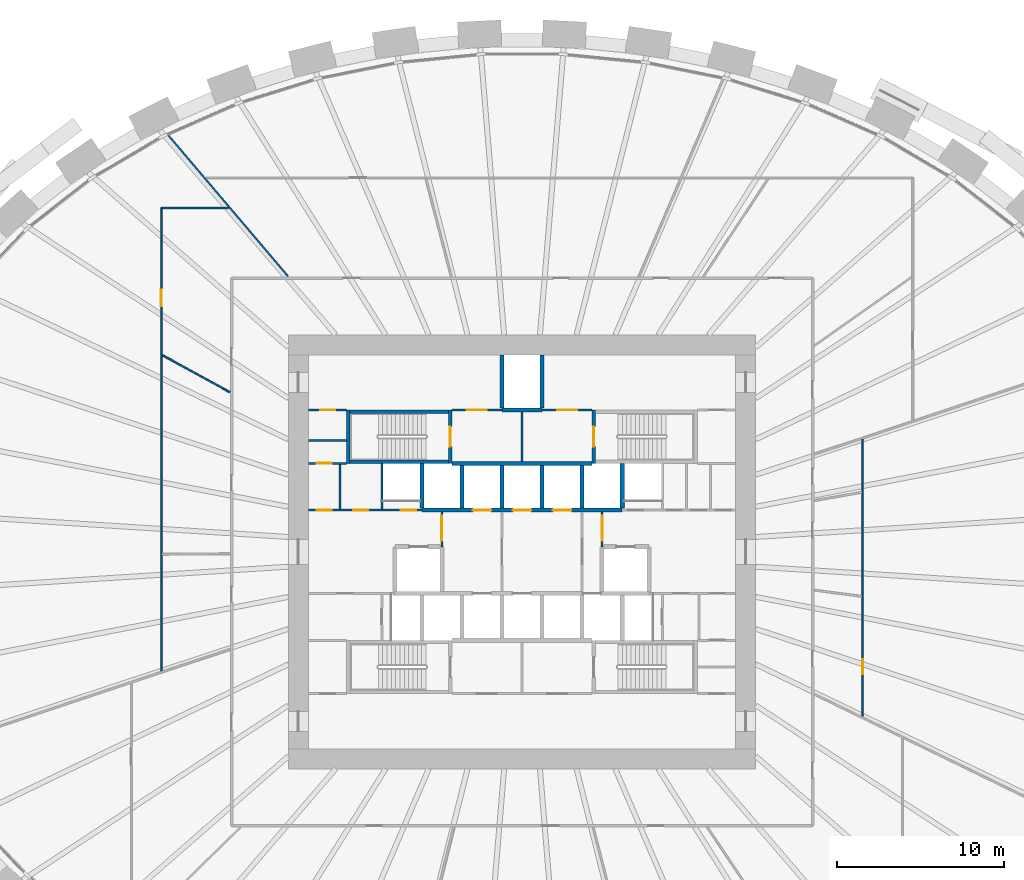
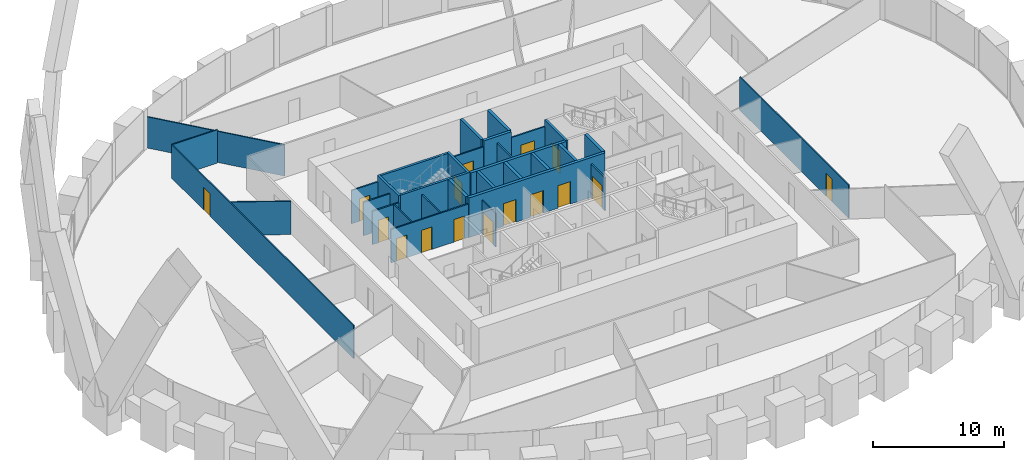
# One storey, part 9 of 12: 32 walls, 16 doors, 16 openings.
"""IFC4 building model written with IfcOpenShell, lengths in metres."""

from ifc_helpers import new_model, si_unit, direction, frame, frame_2d, origin, place, context, subcontext, project, spatial, rectangle, extrude, source, transform, mapped, material, layer, layer_set, type_object, element, fill, save


model = new_model("IFC4")

# Units and contexts
model_context = context("Model", 3, precision=1e-05, world=origin(), true_north=direction((0.0, 1.0)))
body_context = subcontext(model_context, "Body", "Model", "MODEL_VIEW")
ifc_project = project(units=[si_unit("LENGTHUNIT", "METRE"), si_unit("AREAUNIT", "SQUARE_METRE"), si_unit("VOLUMEUNIT", "CUBIC_METRE"), si_unit("PLANEANGLEUNIT", "RADIAN"), si_unit("MASSUNIT", "GRAM", prefix="KILO")], contexts=[model_context])

# Site, building, storey
site_placement = place(None, origin())
site = spatial("IfcSite", under=ifc_project, at=site_placement, CompositionType="ELEMENT")
building_placement = place(site_placement, origin())
building = spatial("IfcBuilding", under=site, at=building_placement, Name="Embergate Tower", CompositionType="ELEMENT")
storey_placement = place(building_placement, frame((0.0, 0.0, 45.800048828125)))
storey = spatial("IfcBuildingStorey", under=building, at=storey_placement, Name="L07", CompositionType="ELEMENT", Elevation=45.800048828125)

# Walls
ifc_material_1 = material(Name="Concrete C50", Category="concrete")
ifc_layer_1 = layer(ifc_material_1, 0.25)
ifc_layer_set_1 = layer_set([ifc_layer_1], Name="Concrete C50")
wall_type_1 = type_object("IfcWallType", Name="Hoistway wall reinforced concrete 250", PredefinedType="SHEAR", material=ifc_layer_set_1)
shared_shape_1 = source(origin(), body_context, "Body", "SweptSolid", [
    extrude(rectangle(XDim=2.675048828125, YDim=0.25, at=frame_2d((1.33740234375, 0.0))), origin(), (0.0, 0.0, 1.0), 3.699951171875),
])
for number, where, z_axis, x_axis, name in (
    (1, (-6.0, 2.625, 0.0), (0.0, 0.0, 1.0), (0.0, 1.0, 0.0), "HW-1 wall"),
    (2, (6.0, 2.625, 0.0), (0.0, 0.0, 1.0), (0.0, 1.0, 0.0), "HW-1 wall"),
):
    element("IfcWall", number, at=place(storey_placement, frame(where, z_axis=z_axis, x_axis=x_axis)), inside=storey, type_object=wall_type_1, Name=name, PredefinedType="SHEAR", context=body_context, shape_type="MappedRepresentation", body=[
        mapped(shared_shape_1, transform((0.0, 0.0, 0.0))),
    ])
ifc_layer_2 = layer(ifc_material_1, 0.199951171875)
ifc_layer_set_2 = layer_set([ifc_layer_2], Name="Concrete C50")
wall_type_2 = type_object("IfcWallType", Name="Stair enclosure wall reinforced concrete 250", PredefinedType="SHEAR", material=ifc_layer_set_2)
shared_shape_2 = source(origin(), body_context, "Body", "SweptSolid", [
    extrude(rectangle(XDim=6.300048828125, YDim=0.199951171875, at=frame_2d((3.14990234375, 0.0))), origin(), (0.0, 0.0, 1.0), 3.699951171875),
])
for number, where, z_axis, x_axis, name in (
    (3, (-4.199951171875, 5.39990234375, 0.0), (0.0, 0.0, 1.0), (-1.0, 0.0, 0.0), "SE-1 wall"),
    (4, (-4.199951171875, 8.39990234375, 0.0), (0.0, 0.0, 1.0), (-1.0, 0.0, 0.0), "SE-1 wall"),
):
    element("IfcWall", number, at=place(storey_placement, frame(where, z_axis=z_axis, x_axis=x_axis)), inside=storey, type_object=wall_type_2, Name=name, PredefinedType="SHEAR", context=body_context, shape_type="MappedRepresentation", body=[
        mapped(shared_shape_2, transform((0.0, 0.0, 0.0))),
    ])
shared_shape_3 = source(origin(), body_context, "Body", "SweptSolid", [
    extrude(rectangle(XDim=2.550048828125, YDim=0.25, at=frame_2d((1.27490234375, 0.0))), origin(), (0.0, 0.0, 1.0), 3.699951171875),
])
for number, where, z_axis, x_axis, name in (
    (5, (-3.60009765625, 2.625, 0.0), (0.0, 0.0, 1.0), (0.0, 1.0, 0.0), "HW-1 wall"),
    (6, (-1.199951171875, 2.625, 0.0), (0.0, 0.0, 1.0), (0.0, 1.0, 0.0), "HW-1 wall"),
    (7, (1.199951171875, 2.625, 0.0), (0.0, 0.0, 1.0), (0.0, 1.0, 0.0), "HW-1 wall"),
    (8, (3.60009765625, 2.625, 0.0), (0.0, 0.0, 1.0), (0.0, 1.0, 0.0), "HW-1 wall"),
):
    element("IfcWall", number, at=place(storey_placement, frame(where, z_axis=z_axis, x_axis=x_axis)), inside=storey, type_object=wall_type_1, Name=name, PredefinedType="SHEAR", context=body_context, shape_type="MappedRepresentation", body=[
        mapped(shared_shape_3, transform((0.0, 0.0, 0.0))),
    ])

# Wall, openings, doors
shared_shape_4 = source(origin(), body_context, "Body", "SweptSolid", [
    extrude(rectangle(XDim=12.0, YDim=0.25, at=frame_2d((6.0, 0.0))), origin(), (0.0, 0.0, 1.0), 3.699951171875),
])
wall_1_placement = place(storey_placement, frame((-6.0, 2.5, 0.0), z_axis=(0.0, 0.0, 1.0), x_axis=(1.0, 0.0, 0.0)))
wall_1 = element("IfcWall", 9, at=wall_1_placement, inside=storey, type_object=wall_type_1, Name="HW-1 wall", PredefinedType="SHEAR", context=body_context, shape_type="MappedRepresentation", body=[
    mapped(shared_shape_4, transform((0.0, 0.0, 0.0))),
])
shared_shape_5 = source(origin(), body_context, "Body", "SweptSolid", [
    extrude(rectangle(XDim=1.10009765625, YDim=2.10009765625, at=frame_2d((0.550048828125, 1.050048828125))), frame((0.0, 0.135009765625, 0.0), z_axis=(0.0, -1.0, 0.0), x_axis=(1.0, 0.0, 0.0)), (0.0, 0.0, 1.0), 0.27001953125),
])
opening_1_placement = place(wall_1_placement, frame((3.050048828125, 0.0, 0.0)))
opening_1 = element("IfcOpeningElement", 10, at=opening_1_placement, cuts=wall_1, Name="Opening LD", PredefinedType="OPENING", context=body_context, shape_type="MappedRepresentation", body=[
    mapped(shared_shape_5, transform((0.0, 0.0, 0.0))),
])
opening_2_placement = place(wall_1_placement, frame((5.449951171875, 0.0, 0.0)))
opening_2 = element("IfcOpeningElement", 11, at=opening_2_placement, cuts=wall_1, Name="Opening LD", PredefinedType="OPENING", context=body_context, shape_type="MappedRepresentation", body=[
    mapped(shared_shape_5, transform((0.0, 0.0, 0.0))),
])
opening_3_placement = place(wall_1_placement, frame((7.85009765625, 0.0, 0.0)))
opening_3 = element("IfcOpeningElement", 12, at=opening_3_placement, cuts=wall_1, Name="Opening LD", PredefinedType="OPENING", context=body_context, shape_type="MappedRepresentation", body=[
    mapped(shared_shape_5, transform((0.0, 0.0, 0.0))),
])
ifc_material_2 = material(Name="Landing door sliding 1100")
door_type_1 = type_object("IfcDoorType", Name="Landing door sliding 1100", OperationType="SLIDING_TO_LEFT", PredefinedType="DOOR", material=ifc_material_2)
shared_shape_6 = source(origin(), body_context, "Body", "SweptSolid", [
    extrude(rectangle(XDim=1.10009765625, YDim=2.10009765625, at=frame_2d((0.550048828125, 1.050048828125))), frame((0.0, 0.02490234375, 0.0), z_axis=(0.0, -1.0, 0.0), x_axis=(1.0, 0.0, 0.0)), (0.0, 0.0, 1.0), 0.050048828125),
])
door_1_placement = place(opening_1_placement, origin())
door_1 = element("IfcDoor", 13, at=door_1_placement, inside=storey, type_object=door_type_1, Name="LD door", OperationType="SLIDING_TO_RIGHT", OverallHeight=2.10009765625, OverallWidth=1.10009765625, PredefinedType="DOOR", context=body_context, shape_type="MappedRepresentation", body=[
    mapped(shared_shape_6, transform((0.0, 0.0, 0.0))),
])
fill(opening_1, door_1)
door_2_placement = place(opening_2_placement, origin())
door_2 = element("IfcDoor", 14, at=door_2_placement, inside=storey, type_object=door_type_1, Name="LD door", OperationType="SLIDING_TO_RIGHT", OverallHeight=2.10009765625, OverallWidth=1.10009765625, PredefinedType="DOOR", context=body_context, shape_type="MappedRepresentation", body=[
    mapped(shared_shape_6, transform((0.0, 0.0, 0.0))),
])
fill(opening_2, door_2)
door_3_placement = place(opening_3_placement, origin())
door_3 = element("IfcDoor", 15, at=door_3_placement, inside=storey, type_object=door_type_1, Name="LD door", OperationType="SLIDING_TO_RIGHT", OverallHeight=2.10009765625, OverallWidth=1.10009765625, PredefinedType="DOOR", context=body_context, shape_type="MappedRepresentation", body=[
    mapped(shared_shape_6, transform((0.0, 0.0, 0.0))),
])
fill(opening_3, door_3)

# Wall
shared_shape_7 = source(origin(), body_context, "Body", "SweptSolid", [
    extrude(rectangle(XDim=8.39990234375, YDim=0.25, at=frame_2d((4.199951171875, 0.0))), origin(), (0.0, 0.0, 1.0), 3.699951171875),
])
wall_2_placement = place(storey_placement, frame((4.199951171875, 5.300048828125, 0.0), z_axis=(0.0, 0.0, 1.0), x_axis=(-1.0, 0.0, 0.0)))
element("IfcWall", 16, at=wall_2_placement, inside=storey, type_object=wall_type_1, Name="HW-1 wall", PredefinedType="SHEAR", context=body_context, shape_type="MappedRepresentation", body=[
    mapped(shared_shape_7, transform((0.0, 0.0, 0.0))),
])

# Wall, opening, door
shared_shape_8 = source(origin(), body_context, "Body", "SweptSolid", [
    extrude(rectangle(XDim=3.199951171875, YDim=0.199951171875, at=frame_2d((1.60009765625, 0.0))), origin(), (0.0, 0.0, 1.0), 3.699951171875),
])
wall_3_placement = place(storey_placement, frame((-4.300048828125, 5.300048828125, 0.0), z_axis=(0.0, 0.0, 1.0), x_axis=(0.0, 1.0, 0.0)))
wall_3 = element("IfcWall", 17, at=wall_3_placement, inside=storey, type_object=wall_type_2, Name="SE-1 wall", PredefinedType="SHEAR", context=body_context, shape_type="MappedRepresentation", body=[
    mapped(shared_shape_8, transform((0.0, 0.0, 0.0))),
])
shared_shape_9 = source(origin(), body_context, "Body", "SweptSolid", [
    extrude(rectangle(XDim=1.199951171875, YDim=2.10009765625, at=frame_2d((0.60009765625, 1.050048828125))), frame((0.0, 0.10986328125, 0.0), z_axis=(0.0, -1.0, 0.0), x_axis=(1.0, 0.0, 0.0)), (0.0, 0.0, 1.0), 0.219970703125),
])
opening_4_placement = place(wall_3_placement, frame((1.0, 0.0, 0.0)))
opening_4 = element("IfcOpeningElement", 18, at=opening_4_placement, cuts=wall_3, Name="Opening IF-2", PredefinedType="OPENING", context=body_context, shape_type="MappedRepresentation", body=[
    mapped(shared_shape_9, transform((0.0, 0.0, 0.0))),
])
ifc_material_3 = material(Name="Stair enclosure door 1200")
door_type_2 = type_object("IfcDoorType", Name="Stair enclosure door 1200", OperationType="SINGLE_SWING_LEFT", PredefinedType="DOOR", material=ifc_material_3)
shared_shape_10 = source(origin(), body_context, "Body", "SweptSolid", [
    extrude(rectangle(XDim=1.199951171875, YDim=2.10009765625, at=frame_2d((0.60009765625, 1.050048828125))), frame((0.0, 0.02490234375, 0.0), z_axis=(0.0, -1.0, 0.0), x_axis=(1.0, 0.0, 0.0)), (0.0, 0.0, 1.0), 0.050048828125),
])
door_4_placement = place(opening_4_placement, origin())
door_4 = element("IfcDoor", 19, at=door_4_placement, inside=storey, type_object=door_type_2, Name="IF-2 door", OperationType="SINGLE_SWING_LEFT", OverallHeight=2.10009765625, OverallWidth=1.199951171875, PredefinedType="DOOR", context=body_context, shape_type="MappedRepresentation", body=[
    mapped(shared_shape_10, transform((0.0, 0.0, 0.0))),
])
fill(opening_4, door_4)

# Wall
wall_4_placement = place(storey_placement, frame((-10.39990234375, 8.5, 0.0), z_axis=(0.0, 0.0, 1.0), x_axis=(0.0, -1.0, 0.0)))
element("IfcWall", 20, at=wall_4_placement, inside=storey, type_object=wall_type_2, Name="SE-1 wall", PredefinedType="SHEAR", context=body_context, shape_type="MappedRepresentation", body=[
    mapped(shared_shape_8, transform((0.0, 0.0, 0.0))),
])

# Wall, opening, door
wall_5_placement = place(storey_placement, frame((4.300048828125, 8.5, 0.0), z_axis=(0.0, 0.0, 1.0), x_axis=(0.0, -1.0, 0.0)))
wall_5 = element("IfcWall", 21, at=wall_5_placement, inside=storey, type_object=wall_type_2, Name="SE-1 wall", PredefinedType="SHEAR", context=body_context, shape_type="MappedRepresentation", body=[
    mapped(shared_shape_8, transform((0.0, 0.0, 0.0))),
])
opening_5_placement = place(wall_5_placement, frame((1.0, 0.0, 0.0)))
opening_5 = element("IfcOpeningElement", 22, at=opening_5_placement, cuts=wall_5, Name="Opening IF-2", PredefinedType="OPENING", context=body_context, shape_type="MappedRepresentation", body=[
    mapped(shared_shape_9, transform((0.0, 0.0, 0.0))),
])
door_5_placement = place(opening_5_placement, origin())
door_5 = element("IfcDoor", 23, at=door_5_placement, inside=storey, type_object=door_type_2, Name="IF-2 door", OperationType="SINGLE_SWING_RIGHT", OverallHeight=2.10009765625, OverallWidth=1.199951171875, PredefinedType="DOOR", context=body_context, shape_type="MappedRepresentation", body=[
    mapped(shared_shape_10, transform((0.0, 0.0, 0.0))),
])
fill(opening_5, door_5)

# Walls
shared_shape_11 = source(origin(), body_context, "Body", "SweptSolid", [
    extrude(rectangle(XDim=2.39990234375, YDim=0.25, at=frame_2d((1.199951171875, 0.0))), origin(), (0.0, 0.0, 1.0), 3.699951171875),
])
wall_6_placement = place(storey_placement, frame((1.199951171875, 8.5, 0.0), z_axis=(0.0, 0.0, 1.0), x_axis=(-1.0, 0.0, 0.0)))
element("IfcWall", 24, at=wall_6_placement, inside=storey, type_object=wall_type_1, Name="HW-1 wall", PredefinedType="SHEAR", context=body_context, shape_type="MappedRepresentation", body=[
    mapped(shared_shape_11, transform((0.0, 0.0, 0.0))),
])
shared_shape_12 = source(origin(), body_context, "Body", "SweptSolid", [
    extrude(rectangle(XDim=3.175048828125, YDim=0.25, at=frame_2d((1.58740234375, 0.0))), origin(), (0.0, 0.0, 1.0), 3.699951171875),
])
for number, where, z_axis, x_axis, name in (
    (25, (-1.199951171875, 8.625, 0.0), (0.0, 0.0, 1.0), (0.0, 1.0, 0.0), "HW-1 wall"),
    (26, (1.199951171875, 11.800048828125, 0.0), (0.0, 0.0, 1.0), (0.0, -1.0, 0.0), "HW-1 wall"),
):
    element("IfcWall", number, at=place(storey_placement, frame(where, z_axis=z_axis, x_axis=x_axis)), inside=storey, type_object=wall_type_1, Name=name, PredefinedType="SHEAR", context=body_context, shape_type="MappedRepresentation", body=[
        mapped(shared_shape_12, transform((0.0, 0.0, 0.0))),
    ])

# Wall, opening, door
ifc_material_4 = material(Name="Partition dry-lined 100 wet")
ifc_layer_3 = layer(ifc_material_4, 0.10009765625)
ifc_layer_set_3 = layer_set([ifc_layer_3], Name="Partition dry-lined 100 wet")
wall_type_3 = type_object("IfcWallType", Name="Partition dry-lined 100 wet", PredefinedType="PLUMBINGWALL", material=ifc_layer_set_3)
shared_shape_13 = source(origin(), body_context, "Body", "SweptSolid", [
    extrude(rectangle(XDim=16.60400390625, YDim=0.10009765625, at=frame_2d((8.302001953125, 0.0))), origin(), (0.0, 0.0, 1.0), 3.099853515625),
])
wall_7_placement = place(storey_placement, frame((20.39990234375, 6.74609375, 0.0), z_axis=(0.0, 0.0, 1.0), x_axis=(0.0, -1.0, 0.0)))
wall_7 = element("IfcWall", 27, at=wall_7_placement, inside=storey, type_object=wall_type_3, Name="IP-1 wall", PredefinedType="PLUMBINGWALL", context=body_context, shape_type="MappedRepresentation", body=[
    mapped(shared_shape_13, transform((0.0, 0.0, 0.0))),
])
shared_shape_14 = source(origin(), body_context, "Body", "SweptSolid", [
    extrude(rectangle(XDim=0.89990234375, YDim=2.10009765625, at=frame_2d((0.449951171875, 1.050048828125))), frame((0.0, 0.06005859375, 0.0), z_axis=(0.0, -1.0, 0.0), x_axis=(1.0, 0.0, 0.0)), (0.0, 0.0, 1.0), 0.1201171875),
])
opening_6_placement = place(wall_7_placement, frame((13.177978515625, 0.0, 0.0)))
opening_6 = element("IfcOpeningElement", 28, at=opening_6_placement, cuts=wall_7, Name="Opening ID-1", PredefinedType="OPENING", context=body_context, shape_type="MappedRepresentation", body=[
    mapped(shared_shape_14, transform((0.0, 0.0, 0.0))),
])
ifc_material_5 = material(Name="Interior door 900")
door_type_3 = type_object("IfcDoorType", Name="Interior door 900", OperationType="SINGLE_SWING_LEFT", PredefinedType="DOOR", material=ifc_material_5)
shared_shape_15 = source(origin(), body_context, "Body", "SweptSolid", [
    extrude(rectangle(XDim=0.89990234375, YDim=2.10009765625, at=frame_2d((0.449951171875, 1.050048828125))), frame((0.0, 0.02490234375, 0.0), z_axis=(0.0, -1.0, 0.0), x_axis=(1.0, 0.0, 0.0)), (0.0, 0.0, 1.0), 0.050048828125),
])
door_6_placement = place(opening_6_placement, origin())
door_6 = element("IfcDoor", 29, at=door_6_placement, inside=storey, type_object=door_type_3, Name="ID-1 door", OperationType="SINGLE_SWING_RIGHT", OverallHeight=2.10009765625, OverallWidth=0.89990234375, PredefinedType="DOOR", context=body_context, shape_type="MappedRepresentation", body=[
    mapped(shared_shape_15, transform((0.0, 0.0, 0.0))),
])
fill(opening_6, door_6)

# Walls
ifc_material_6 = material(Name="Partition dry-lined 100")
ifc_layer_4 = layer(ifc_material_6, 0.10009765625)
ifc_layer_set_4 = layer_set([ifc_layer_4], Name="Partition dry-lined 100")
wall_type_4 = type_object("IfcWallType", Name="Partition dry-lined 100", PredefinedType="PARTITIONING", material=ifc_layer_set_4)
shared_shape_16 = source(origin(), body_context, "Body", "SweptSolid", [
    extrude(rectangle(XDim=11.15966796875, YDim=0.10009765625, at=frame_2d((5.579833984375, 0.0))), origin(), (0.0, 0.0, 1.0), 2.89990234375),
])
wall_8_placement = place(storey_placement, frame((-14.01708984375, 16.507080078125, 0.0), z_axis=(0.0, 0.0, 1.0), x_axis=(-0.647236818458, 0.762288987742, 0.0)))
element("IfcWall", 30, at=wall_8_placement, inside=storey, type_object=wall_type_4, Name="IP-1 wall", PredefinedType="PARTITIONING", context=body_context, shape_type="MappedRepresentation", body=[
    mapped(shared_shape_16, transform((0.0, 0.0, 0.0))),
])
shared_shape_17 = source(origin(), body_context, "Body", "SweptSolid", [
    extrude(rectangle(XDim=4.589599609375, YDim=0.10009765625, at=frame_2d((2.294921875, 0.0))), origin(), (0.0, 0.0, 1.0), 3.099853515625),
])
wall_9_placement = place(storey_placement, frame((-17.4990234375, 9.56591796875, 0.0), z_axis=(0.0, 0.0, 1.0), x_axis=(-0.877374638448, 0.479805943907, 0.0)))
element("IfcWall", 31, at=wall_9_placement, inside=storey, type_object=wall_type_4, Name="IP-1 wall", PredefinedType="PARTITIONING", context=body_context, shape_type="MappedRepresentation", body=[
    mapped(shared_shape_17, transform((0.0, 0.0, 0.0))),
])

# Wall, opening, door
shared_shape_18 = source(origin(), body_context, "Body", "SweptSolid", [
    extrude(rectangle(XDim=27.7470703125, YDim=0.10009765625, at=frame_2d((13.87353515625, 0.0))), origin(), (0.0, 0.0, 1.0), 3.099853515625),
])
wall_10_placement = place(storey_placement, frame((-21.60009765625, -7.14697265625, 0.0), z_axis=(0.0, 0.0, 1.0), x_axis=(0.0, 1.0, 0.0)))
wall_10 = element("IfcWall", 32, at=wall_10_placement, inside=storey, type_object=wall_type_4, Name="IP-1 wall", PredefinedType="PARTITIONING", context=body_context, shape_type="MappedRepresentation", body=[
    mapped(shared_shape_18, transform((0.0, 0.0, 0.0))),
])
shared_shape_19 = source(origin(), body_context, "Body", "SweptSolid", [
    extrude(rectangle(XDim=1.0, YDim=2.10009765625, at=frame_2d((0.5, 1.050048828125))), frame((0.0, 0.06005859375, 0.0), z_axis=(0.0, -1.0, 0.0), x_axis=(1.0, 0.0, 0.0)), (0.0, 0.0, 1.0), 0.1201171875),
])
opening_7_placement = place(wall_10_placement, frame((21.84375, 0.0, 0.0)))
opening_7 = element("IfcOpeningElement", 33, at=opening_7_placement, cuts=wall_10, Name="Opening ID-2", PredefinedType="OPENING", context=body_context, shape_type="MappedRepresentation", body=[
    mapped(shared_shape_19, transform((0.0, 0.0, 0.0))),
])
ifc_material_7 = material(Name="Interior door 1000")
door_type_4 = type_object("IfcDoorType", Name="Interior door 1000", OperationType="SINGLE_SWING_LEFT", PredefinedType="DOOR", material=ifc_material_7)
shared_shape_20 = source(origin(), body_context, "Body", "SweptSolid", [
    extrude(rectangle(XDim=1.0, YDim=2.10009765625, at=frame_2d((0.5, 1.050048828125))), frame((0.0, 0.02490234375, 0.0), z_axis=(0.0, -1.0, 0.0), x_axis=(1.0, 0.0, 0.0)), (0.0, 0.0, 1.0), 0.050048828125),
])
door_7_placement = place(opening_7_placement, origin())
door_7 = element("IfcDoor", 34, at=door_7_placement, inside=storey, type_object=door_type_4, Name="ID-2 door", OperationType="SINGLE_SWING_LEFT", OverallHeight=2.10009765625, OverallWidth=1.0, PredefinedType="DOOR", context=body_context, shape_type="MappedRepresentation", body=[
    mapped(shared_shape_20, transform((0.0, 0.0, 0.0))),
])
fill(opening_7, door_7)

# Wall
shared_shape_21 = source(origin(), body_context, "Body", "SweptSolid", [
    extrude(rectangle(XDim=4.0, YDim=0.10009765625, at=frame_2d((2.0, 0.0))), origin(), (0.0, 0.0, 1.0), 3.099853515625),
])
wall_11_placement = place(storey_placement, frame((-21.60009765625, 20.60009765625, 0.0), z_axis=(0.0, 0.0, 1.0), x_axis=(1.0, 0.0, 0.0)))
element("IfcWall", 35, at=wall_11_placement, inside=storey, type_object=wall_type_4, Name="IP-1 wall", PredefinedType="PARTITIONING", context=body_context, shape_type="MappedRepresentation", body=[
    mapped(shared_shape_21, transform((0.0, 0.0, 0.0))),
])

# Wall, openings, doors
ifc_material_8 = material(Name="Core partition blockwork 120")
ifc_layer_5 = layer(ifc_material_8, 0.1201171875)
ifc_layer_set_5 = layer_set([ifc_layer_5], Name="Core partition blockwork 120")
wall_type_5 = type_object("IfcWallType", Name="Core partition blockwork 120", PredefinedType="PARTITIONING", material=ifc_layer_set_5)
shared_shape_22 = source(origin(), body_context, "Body", "SweptSolid", [
    extrude(rectangle(XDim=6.800048828125, YDim=0.1201171875, at=frame_2d((3.39990234375, 0.0))), origin(), (0.0, 0.0, 1.0), 3.099853515625),
])
wall_12_placement = place(storey_placement, frame((-12.800048828125, 2.5, 0.0), z_axis=(0.0, 0.0, 1.0), x_axis=(1.0, 0.0, 0.0)))
wall_12 = element("IfcWall", 36, at=wall_12_placement, inside=storey, type_object=wall_type_5, Name="IP-3 wall", PredefinedType="PARTITIONING", context=body_context, shape_type="MappedRepresentation", body=[
    mapped(shared_shape_22, transform((0.0, 0.0, 0.0))),
])
shared_shape_23 = source(origin(), body_context, "Body", "SweptSolid", [
    extrude(rectangle(XDim=0.89990234375, YDim=2.10009765625, at=frame_2d((0.449951171875, 1.050048828125))), frame((0.0, 0.070068359375, 0.0), z_axis=(0.0, -1.0, 0.0), x_axis=(1.0, 0.0, 0.0)), (0.0, 0.0, 1.0), 0.14013671875),
])
opening_8_placement = place(wall_12_placement, frame((5.550048828125, 0.0, 0.0)))
opening_8 = element("IfcOpeningElement", 37, at=opening_8_placement, cuts=wall_12, Name="Opening ID-1", PredefinedType="OPENING", context=body_context, shape_type="MappedRepresentation", body=[
    mapped(shared_shape_23, transform((0.0, 0.0, 0.0))),
])
opening_9_placement = place(wall_12_placement, frame((0.49609375, 0.0, 0.0)))
opening_9 = element("IfcOpeningElement", 38, at=opening_9_placement, cuts=wall_12, Name="Opening ID-1", PredefinedType="OPENING", context=body_context, shape_type="MappedRepresentation", body=[
    mapped(shared_shape_23, transform((0.0, 0.0, 0.0))),
])
opening_10_placement = place(wall_12_placement, frame((2.696044921875, 0.0, 0.0)))
opening_10 = element("IfcOpeningElement", 39, at=opening_10_placement, cuts=wall_12, Name="Opening ID-1", PredefinedType="OPENING", context=body_context, shape_type="MappedRepresentation", body=[
    mapped(shared_shape_23, transform((0.0, 0.0, 0.0))),
])
door_8_placement = place(opening_8_placement, origin())
door_8 = element("IfcDoor", 40, at=door_8_placement, inside=storey, type_object=door_type_3, Name="ID-1 door", OperationType="SINGLE_SWING_LEFT", OverallHeight=2.10009765625, OverallWidth=0.89990234375, PredefinedType="DOOR", context=body_context, shape_type="MappedRepresentation", body=[
    mapped(shared_shape_15, transform((0.0, 0.0, 0.0))),
])
fill(opening_8, door_8)
door_9_placement = place(opening_9_placement, origin())
door_9 = element("IfcDoor", 41, at=door_9_placement, inside=storey, type_object=door_type_3, Name="ID-1 door", OperationType="SINGLE_SWING_LEFT", OverallHeight=2.10009765625, OverallWidth=0.89990234375, PredefinedType="DOOR", context=body_context, shape_type="MappedRepresentation", body=[
    mapped(shared_shape_15, transform((0.0, 0.0, 0.0))),
])
fill(opening_9, door_9)
door_10_placement = place(opening_10_placement, origin())
door_10 = element("IfcDoor", 42, at=door_10_placement, inside=storey, type_object=door_type_3, Name="ID-1 door", OperationType="SINGLE_SWING_LEFT", OverallHeight=2.10009765625, OverallWidth=0.89990234375, PredefinedType="DOOR", context=body_context, shape_type="MappedRepresentation", body=[
    mapped(shared_shape_15, transform((0.0, 0.0, 0.0))),
])
fill(opening_10, door_10)

# Wall
shared_shape_24 = source(origin(), body_context, "Body", "SweptSolid", [
    extrude(rectangle(XDim=2.739990234375, YDim=0.1201171875, at=frame_2d((1.3701171875, 0.0))), origin(), (0.0, 0.0, 1.0), 3.099853515625),
])
wall_13_placement = place(storey_placement, frame((-8.39990234375, 5.300048828125, 0.0), z_axis=(0.0, 0.0, 1.0), x_axis=(0.0, -1.0, 0.0)))
element("IfcWall", 43, at=wall_13_placement, inside=storey, type_object=wall_type_5, Name="IP-3 wall", PredefinedType="PARTITIONING", context=body_context, shape_type="MappedRepresentation", body=[
    mapped(shared_shape_24, transform((0.0, 0.0, 0.0))),
])

# Wall, opening, door
shared_shape_25 = source(origin(), body_context, "Body", "SweptSolid", [
    extrude(rectangle(XDim=2.074951171875, YDim=0.1201171875, at=frame_2d((1.03759765625, 0.0))), origin(), (0.0, 0.0, 1.0), 3.099853515625),
])
wall_14_placement = place(storey_placement, frame((-4.800048828125, 2.375, 0.0), z_axis=(0.0, 0.0, 1.0), x_axis=(0.0, -1.0, 0.0)))
wall_14 = element("IfcWall", 44, at=wall_14_placement, inside=storey, type_object=wall_type_5, Name="IP-3 wall", PredefinedType="PARTITIONING", context=body_context, shape_type="MappedRepresentation", body=[
    mapped(shared_shape_25, transform((0.0, 0.0, 0.0))),
])
shared_shape_26 = source(origin(), body_context, "Body", "SweptSolid", [
    extrude(rectangle(XDim=1.5, YDim=2.10009765625, at=frame_2d((0.75, 1.050048828125))), frame((0.0, 0.070068359375, 0.0), z_axis=(0.0, -1.0, 0.0), x_axis=(1.0, 0.0, 0.0)), (0.0, 0.0, 1.0), 0.14013671875),
])
opening_11_placement = place(wall_14_placement, frame((0.22509765625, 0.0, 0.0)))
opening_11 = element("IfcOpeningElement", 45, at=opening_11_placement, cuts=wall_14, Name="Opening IF-3", PredefinedType="OPENING", context=body_context, shape_type="MappedRepresentation", body=[
    mapped(shared_shape_26, transform((0.0, 0.0, 0.0))),
])
ifc_material_9 = material(Name="Lobby fire door pair 1500")
door_type_5 = type_object("IfcDoorType", Name="Lobby fire door pair 1500", OperationType="DOUBLE_DOOR_SINGLE_SWING", PredefinedType="DOOR", material=ifc_material_9)
shared_shape_27 = source(origin(), body_context, "Body", "SweptSolid", [
    extrude(rectangle(XDim=1.5, YDim=2.10009765625, at=frame_2d((0.75, 1.050048828125))), frame((0.0, 0.02490234375, 0.0), z_axis=(0.0, -1.0, 0.0), x_axis=(1.0, 0.0, 0.0)), (0.0, 0.0, 1.0), 0.050048828125),
])
door_11_placement = place(opening_11_placement, origin())
door_11 = element("IfcDoor", 46, at=door_11_placement, inside=storey, type_object=door_type_5, Name="IF-3 door", OperationType="DOUBLE_DOOR_SINGLE_SWING", OverallHeight=2.10009765625, OverallWidth=1.5, PredefinedType="DOOR", context=body_context, shape_type="MappedRepresentation", body=[
    mapped(shared_shape_27, transform((0.0, 0.0, 0.0))),
])
fill(opening_11, door_11)

wall_15_placement = place(storey_placement, frame((4.800048828125, 0.300048828125, 0.0), z_axis=(0.0, 0.0, 1.0), x_axis=(0.0, 1.0, 0.0)))
wall_15 = element("IfcWall", 47, at=wall_15_placement, inside=storey, type_object=wall_type_5, Name="IP-3 wall", PredefinedType="PARTITIONING", context=body_context, shape_type="MappedRepresentation", body=[
    mapped(shared_shape_25, transform((0.0, 0.0, 0.0))),
])
opening_12_placement = place(wall_15_placement, frame((0.35009765625, 0.0, 0.0)))
opening_12 = element("IfcOpeningElement", 48, at=opening_12_placement, cuts=wall_15, Name="Opening IF-3", PredefinedType="OPENING", context=body_context, shape_type="MappedRepresentation", body=[
    mapped(shared_shape_26, transform((0.0, 0.0, 0.0))),
])
door_12_placement = place(opening_12_placement, origin())
door_12 = element("IfcDoor", 49, at=door_12_placement, inside=storey, type_object=door_type_5, Name="IF-3 door", OperationType="DOUBLE_DOOR_SINGLE_SWING", OverallHeight=2.10009765625, OverallWidth=1.5, PredefinedType="DOOR", context=body_context, shape_type="MappedRepresentation", body=[
    mapped(shared_shape_27, transform((0.0, 0.0, 0.0))),
])
fill(opening_12, door_12)

# Wall
shared_shape_28 = source(origin(), body_context, "Body", "SweptSolid", [
    extrude(rectangle(XDim=2.949951171875, YDim=0.1201171875, at=frame_2d((1.47509765625, 0.0))), origin(), (0.0, 0.0, 1.0), 3.099853515625),
])
wall_16_placement = place(storey_placement, frame((0.0, 5.425048828125, 0.0), z_axis=(0.0, 0.0, 1.0), x_axis=(0.0, 1.0, 0.0)))
element("IfcWall", 50, at=wall_16_placement, inside=storey, type_object=wall_type_5, Name="IP-3 wall", PredefinedType="PARTITIONING", context=body_context, shape_type="MappedRepresentation", body=[
    mapped(shared_shape_28, transform((0.0, 0.0, 0.0))),
])

# Wall, opening, door
shared_shape_29 = source(origin(), body_context, "Body", "SweptSolid", [
    extrude(rectangle(XDim=3.0, YDim=0.1201171875, at=frame_2d((1.5, 0.0))), origin(), (0.0, 0.0, 1.0), 3.099853515625),
])
wall_17_placement = place(storey_placement, frame((-1.199951171875, 8.5, 0.0), z_axis=(0.0, 0.0, 1.0), x_axis=(-1.0, 0.0, 0.0)))
wall_17 = element("IfcWall", 51, at=wall_17_placement, inside=storey, type_object=wall_type_5, Name="IP-3 wall", PredefinedType="PARTITIONING", context=body_context, shape_type="MappedRepresentation", body=[
    mapped(shared_shape_29, transform((0.0, 0.0, 0.0))),
])
shared_shape_30 = source(origin(), body_context, "Body", "SweptSolid", [
    extrude(rectangle(XDim=1.199951171875, YDim=2.10009765625, at=frame_2d((0.60009765625, 1.050048828125))), frame((0.0, 0.070068359375, 0.0), z_axis=(0.0, -1.0, 0.0), x_axis=(1.0, 0.0, 0.0)), (0.0, 0.0, 1.0), 0.14013671875),
])
opening_13_placement = place(wall_17_placement, frame((0.89990234375, 0.0, 0.0)))
opening_13 = element("IfcOpeningElement", 52, at=opening_13_placement, cuts=wall_17, Name="Opening IF-3f", PredefinedType="OPENING", context=body_context, shape_type="MappedRepresentation", body=[
    mapped(shared_shape_30, transform((0.0, 0.0, 0.0))),
])
ifc_material_10 = material(Name="Lobby fire door pair 1200")
door_type_6 = type_object("IfcDoorType", Name="Lobby fire door pair 1200", OperationType="DOUBLE_DOOR_SINGLE_SWING", PredefinedType="DOOR", material=ifc_material_10)
door_13_placement = place(opening_13_placement, origin())
door_13 = element("IfcDoor", 53, at=door_13_placement, inside=storey, type_object=door_type_6, Name="IF-3 door", OperationType="DOUBLE_DOOR_SINGLE_SWING", OverallHeight=2.10009765625, OverallWidth=1.199951171875, PredefinedType="DOOR", context=body_context, shape_type="MappedRepresentation", body=[
    mapped(shared_shape_10, transform((0.0, 0.0, 0.0))),
])
fill(opening_13, door_13)

wall_18_placement = place(storey_placement, frame((4.199951171875, 8.5, 0.0), z_axis=(0.0, 0.0, 1.0), x_axis=(-1.0, 0.0, 0.0)))
wall_18 = element("IfcWall", 54, at=wall_18_placement, inside=storey, type_object=wall_type_5, Name="IP-3 wall", PredefinedType="PARTITIONING", context=body_context, shape_type="MappedRepresentation", body=[
    mapped(shared_shape_29, transform((0.0, 0.0, 0.0))),
])
opening_14_placement = place(wall_18_placement, frame((0.89990234375, 0.0, 0.0)))
opening_14 = element("IfcOpeningElement", 55, at=opening_14_placement, cuts=wall_18, Name="Opening IF-3f", PredefinedType="OPENING", context=body_context, shape_type="MappedRepresentation", body=[
    mapped(shared_shape_30, transform((0.0, 0.0, 0.0))),
])
door_14_placement = place(opening_14_placement, origin())
door_14 = element("IfcDoor", 56, at=door_14_placement, inside=storey, type_object=door_type_6, Name="IF-3 door", OperationType="DOUBLE_DOOR_SINGLE_SWING", OverallHeight=2.10009765625, OverallWidth=1.199951171875, PredefinedType="DOOR", context=body_context, shape_type="MappedRepresentation", body=[
    mapped(shared_shape_10, transform((0.0, 0.0, 0.0))),
])
fill(opening_14, door_14)

shared_shape_31 = source(origin(), body_context, "Body", "SweptSolid", [
    extrude(rectangle(XDim=2.300048828125, YDim=0.1201171875, at=frame_2d((1.14990234375, 0.0))), origin(), (0.0, 0.0, 1.0), 3.099853515625),
])
wall_19_placement = place(storey_placement, frame((-12.800048828125, 8.5, 0.0), z_axis=(0.0, 0.0, 1.0), x_axis=(1.0, 0.0, 0.0)))
wall_19 = element("IfcWall", 57, at=wall_19_placement, inside=storey, type_object=wall_type_5, Name="IP-3 wall", PredefinedType="PARTITIONING", context=body_context, shape_type="MappedRepresentation", body=[
    mapped(shared_shape_31, transform((0.0, 0.0, 0.0))),
])
opening_15_placement = place(wall_19_placement, frame((0.699951171875, 0.0, 0.0)))
opening_15 = element("IfcOpeningElement", 58, at=opening_15_placement, cuts=wall_19, Name="Opening ID-1", PredefinedType="OPENING", context=body_context, shape_type="MappedRepresentation", body=[
    mapped(shared_shape_23, transform((0.0, 0.0, 0.0))),
])
door_15_placement = place(opening_15_placement, origin())
door_15 = element("IfcDoor", 59, at=door_15_placement, inside=storey, type_object=door_type_3, Name="ID-1 door", OperationType="SINGLE_SWING_RIGHT", OverallHeight=2.10009765625, OverallWidth=0.89990234375, PredefinedType="DOOR", context=body_context, shape_type="MappedRepresentation", body=[
    mapped(shared_shape_15, transform((0.0, 0.0, 0.0))),
])
fill(opening_15, door_15)

wall_20_placement = place(storey_placement, frame((-10.5, 5.300048828125, 0.0), z_axis=(0.0, 0.0, 1.0), x_axis=(-1.0, 0.0, 0.0)))
wall_20 = element("IfcWall", 60, at=wall_20_placement, inside=storey, type_object=wall_type_5, Name="IP-3 wall", PredefinedType="PARTITIONING", context=body_context, shape_type="MappedRepresentation", body=[
    mapped(shared_shape_31, transform((0.0, 0.0, 0.0))),
])
opening_16_placement = place(wall_20_placement, frame((0.904052734375, 0.0, 0.0)))
opening_16 = element("IfcOpeningElement", 61, at=opening_16_placement, cuts=wall_20, Name="Opening ID-1", PredefinedType="OPENING", context=body_context, shape_type="MappedRepresentation", body=[
    mapped(shared_shape_23, transform((0.0, 0.0, 0.0))),
])
door_16_placement = place(opening_16_placement, origin())
door_16 = element("IfcDoor", 62, at=door_16_placement, inside=storey, type_object=door_type_3, Name="ID-1 door", OperationType="SINGLE_SWING_RIGHT", OverallHeight=2.10009765625, OverallWidth=0.89990234375, PredefinedType="DOOR", context=body_context, shape_type="MappedRepresentation", body=[
    mapped(shared_shape_15, transform((0.0, 0.0, 0.0))),
])
fill(opening_16, door_16)

# Walls
wall_21_placement = place(storey_placement, frame((-10.5, 6.676025390625, 0.0), z_axis=(0.0, 0.0, 1.0), x_axis=(-1.0, 0.0, 0.0)))
element("IfcWall", 63, at=wall_21_placement, inside=storey, type_object=wall_type_5, Name="IP-3 wall", PredefinedType="PARTITIONING", context=body_context, shape_type="MappedRepresentation", body=[
    mapped(shared_shape_31, transform((0.0, 0.0, 0.0))),
])
shared_shape_32 = source(origin(), body_context, "Body", "SweptSolid", [
    extrude(rectangle(XDim=2.679931640625, YDim=0.1201171875, at=frame_2d((1.33984375, 0.0))), origin(), (0.0, 0.0, 1.0), 3.099853515625),
])
wall_22_placement = place(storey_placement, frame((-10.907958984375, 2.56005859375, 0.0), z_axis=(0.0, 0.0, 1.0), x_axis=(0.0, 1.0, 0.0)))
element("IfcWall", 64, at=wall_22_placement, inside=storey, type_object=wall_type_5, Name="IP-3 wall", PredefinedType="PARTITIONING", context=body_context, shape_type="MappedRepresentation", body=[
    mapped(shared_shape_32, transform((0.0, 0.0, 0.0))),
])

save(model, "model.ifc")
